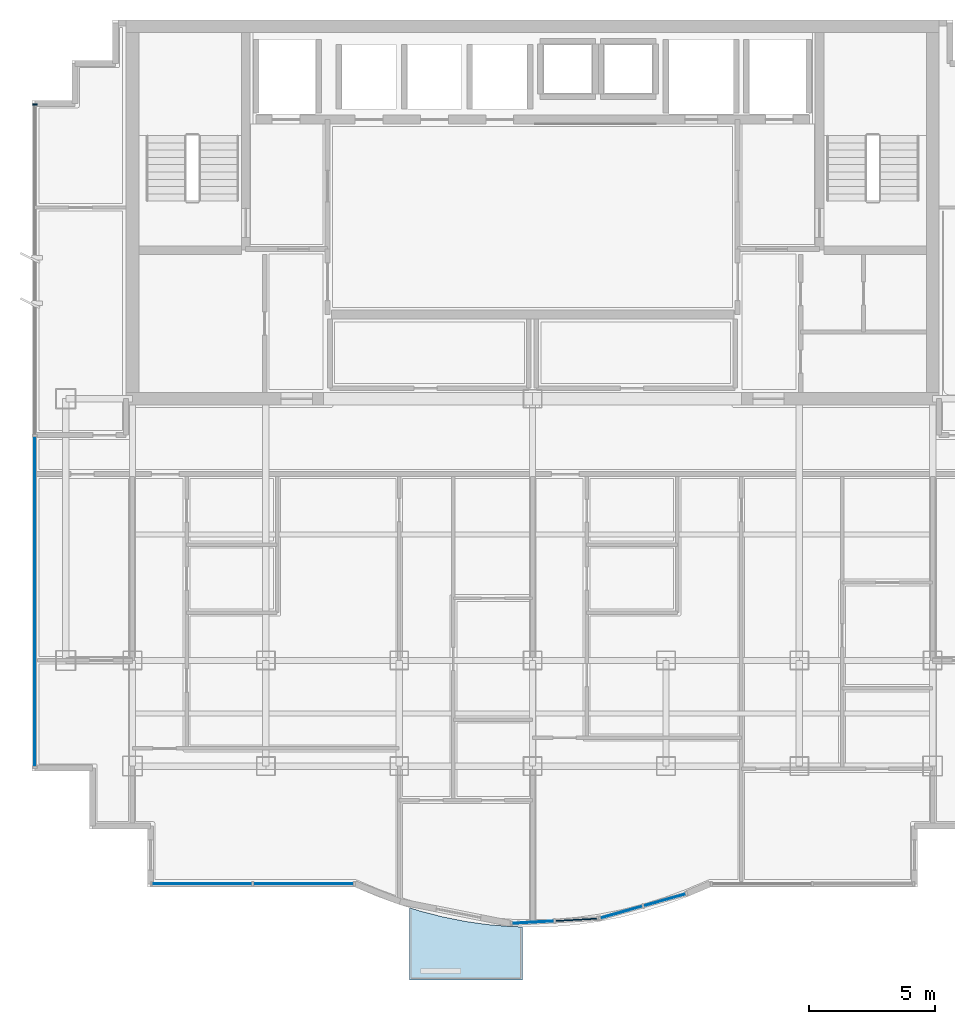
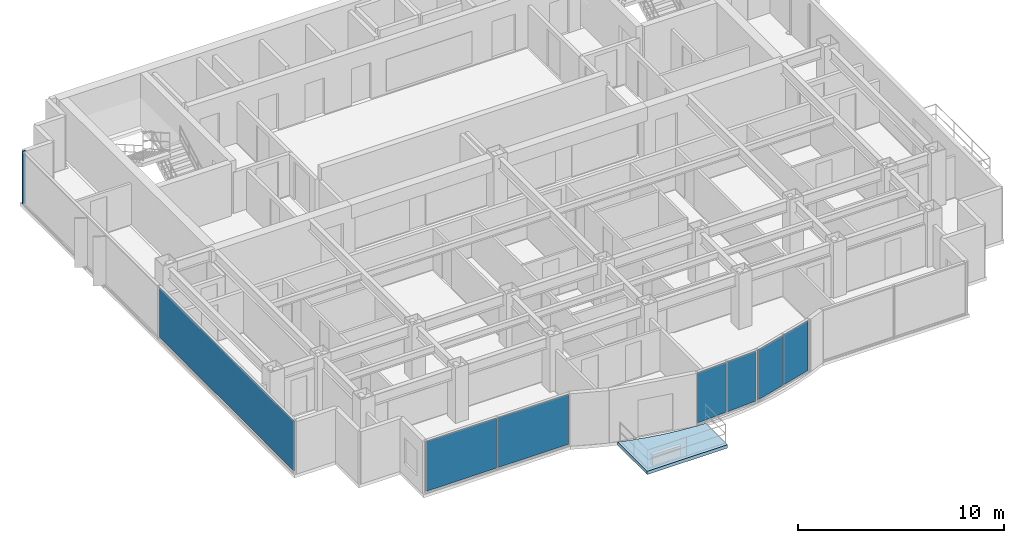
# One storey, part 5 of 11: 7 plates, 1 member, 1 slab, 4 elements without a shape of their own.
"""IFC4 building model written with IfcOpenShell, lengths in metres."""

from ifc_helpers import new_model, si_unit, direction, frame, origin, origin_2d, place, context, subcontext, project, spatial, polyline, rectangle, outline, extrude, source, transform, mapped, material, layer, layer_set, material_profile, profile_set, type_object, element, aggregate, save


model = new_model("IFC4")

# Units and contexts
model_context = context("Model", 3, precision=1e-05, world=origin(), true_north=direction((0.0, 1.0)))
body_context = subcontext(model_context, "Body", "Model", "MODEL_VIEW")
ifc_project = project(units=[si_unit("LENGTHUNIT", "METRE"), si_unit("AREAUNIT", "SQUARE_METRE"), si_unit("VOLUMEUNIT", "CUBIC_METRE"), si_unit("PLANEANGLEUNIT", "RADIAN"), si_unit("MASSUNIT", "GRAM", prefix="KILO")], contexts=[model_context])

# Site, building, storey
site_placement = place(None, origin())
site = spatial("IfcSite", under=ifc_project, at=site_placement, CompositionType="ELEMENT")
building_placement = place(site_placement, origin())
building = spatial("IfcBuilding", under=site, at=building_placement, Name="Qianlan Lanfeng Residences", CompositionType="ELEMENT")
storey_placement = place(building_placement, frame((0.0, 0.0, 226.39990234375)))
storey = spatial("IfcBuildingStorey", under=building, at=storey_placement, Name="L62", CompositionType="ELEMENT", Elevation=226.39990234375)

# Curtain wall, member
ifc_material_1 = material(Name="Anodised Bronze Aluminium 6063-T6", Category="aluminium")
ifc_layer_1 = layer(ifc_material_1, 0.219970703125)
ifc_layer_set_1 = layer_set([ifc_layer_1], Name="Anodised Bronze Aluminium 6063-T6")
curtain_wall_type = type_object("IfcCurtainWallType", Name="CW-05", PredefinedType="NOTDEFINED", material=ifc_layer_set_1)
curtain_wall_1_placement = place(storey_placement, origin())
curtain_wall_1 = element("IfcCurtainWall", 1, at=curtain_wall_1_placement, inside=storey, type_object=curtain_wall_type, Name="L62 Unitised Curtain Wall CWR-L62-05 (CW-05)", PredefinedType="NOTDEFINED")
ifc_material_profile = material_profile(ifc_material_1, rectangle(XDim=0.074951171875, YDim=0.179931640625, at=origin_2d()), Name="ALU MULLION 75x180")
ifc_profile_set = profile_set([ifc_material_profile], Name="Anodised Bronze Aluminium 6063-T6")
member_type = type_object("IfcMemberType", Name="CWM-180", PredefinedType="MULLION", material=ifc_profile_set)
shared_shape_1 = source(origin(), body_context, "Body", "SweptSolid", [
    extrude(rectangle(XDim=0.074951171875, YDim=0.179931640625, at=origin_2d()), origin(), (0.0, 0.0, 1.0), 3.110107421875),
])
member_placement = place(storey_placement, frame((6.719970703125, 36.892578125, 0.0), z_axis=(0.0, 0.0, 1.0), x_axis=(0.0, -1.0, 0.0)))
member = element("IfcMember", 2, at=member_placement, type_object=member_type, Name="CWR-L62-05 Mullion 1", PredefinedType="MULLION", context=body_context, shape_type="MappedRepresentation", body=[
    mapped(shared_shape_1, transform((0.0, 0.0, 0.0), scale=1.0)),
])

# Slab
ifc_material_2 = material(Name="Concrete C42", Category="concrete")
ifc_layer_2 = layer(ifc_material_2, 0.199951171875)
ifc_layer_set_2 = layer_set([ifc_layer_2], Name="Concrete C42")
slab_type = type_object("IfcSlabType", Name="S-BAL-200", PredefinedType="FLOOR", material=ifc_layer_set_2)
slab_placement = place(storey_placement, frame((0.0, 0.0, -0.199951171875)))
element("IfcSlab", 3, at=slab_placement, inside=storey, type_object=slab_type, Name="L62 Planted Tree Balcony Slab SB-C", PredefinedType="FLOOR", context=body_context, shape_type="SweptSolid", body=[
    extrude(outline(polyline([(26.10009765625, 4.2109375), (25.614990234375, 4.22509765625), (24.72998046875, 4.300048828125), (23.844970703125, 4.425048828125), (22.9599609375, 4.60009765625), (22.074951171875, 4.824951171875), (21.60009765625, 4.972900390625), (21.60009765625, 2.10009765625), (26.10009765625, 2.10009765625), (26.10009765625, 4.2109375)])), origin(), (0.0, 0.0, 1.0), 0.199951171875),
])

# Curtain wall, plates
curtain_wall_2_placement = place(storey_placement, origin())
curtain_wall_2 = element("IfcCurtainWall", 4, at=curtain_wall_2_placement, inside=storey, type_object=curtain_wall_type, Name="L62 Unitised Curtain Wall CWR-L62-01 (CW-05)", PredefinedType="NOTDEFINED")
ifc_material_3 = material(Name="Dark Bronze Tinted Insulated Glass", Category="glass")
ifc_layer_3 = layer(ifc_material_3, 0.0380859375)
ifc_layer_set_3 = layer_set([ifc_layer_3], Name="Dark Bronze Tinted Insulated Glass")
plate_type_1 = type_object("IfcPlateType", Name="PNL-GLZ-BRZ", PredefinedType="CURTAIN_PANEL", material=ifc_layer_set_3)
shared_shape_2 = source(origin(), body_context, "Body", "SweptSolid", [
    extrude(rectangle(XDim=3.951416015625, YDim=0.0380859375, at=origin_2d()), origin(), (0.0, 0.0, 1.0), 2.9619140625),
])
plate_1_placement = place(storey_placement, frame((13.36962890625, 5.919921875, 0.07421875), z_axis=(0.0, 0.0, 1.0), x_axis=(1.0, 0.0, 0.0)))
plate_1 = element("IfcPlate", 5, at=plate_1_placement, type_object=plate_type_1, Name="CWR-L62-01 Curtain Panel 1", PredefinedType="CURTAIN_PANEL", context=body_context, shape_type="MappedRepresentation", body=[
    mapped(shared_shape_2, transform((0.0, 0.0, 0.0), scale=1.0)),
])
plate_2_placement = place(storey_placement, frame((17.394287109375, 5.919921875, 0.07421875), z_axis=(0.0, 0.0, 1.0), x_axis=(1.0, 0.0, 0.0)))
plate_2 = element("IfcPlate", 6, at=plate_2_placement, type_object=plate_type_1, Name="CWR-L62-01 Curtain Panel 2", PredefinedType="CURTAIN_PANEL", context=body_context, shape_type="MappedRepresentation", body=[
    mapped(shared_shape_2, transform((0.0, 0.0, 0.0), scale=1.0)),
])
aggregate(curtain_wall_2, [plate_1, plate_2])

# Plate
shared_shape_3 = source(origin(), body_context, "Body", "SweptSolid", [
    extrude(rectangle(XDim=13.094482421875, YDim=0.0380859375, at=origin_2d()), origin(), (0.0, 0.0, 1.0), 2.9619140625),
])
plate_3_placement = place(storey_placement, frame((6.719970703125, 17.14111328125, 0.07421875), z_axis=(0.0, 0.0, 1.0), x_axis=(0.0, -1.0, 0.0)))
plate_3 = element("IfcPlate", 7, at=plate_3_placement, type_object=plate_type_1, Name="CWR-L62-05 Curtain Panel 2", PredefinedType="CURTAIN_PANEL", context=body_context, shape_type="MappedRepresentation", body=[
    mapped(shared_shape_3, transform((0.0, 0.0, 0.0), scale=1.0)),
])

aggregate(curtain_wall_1, [member, plate_3])

# Curtain wall, plate
curtain_wall_3_placement = place(storey_placement, origin())
curtain_wall_3 = element("IfcCurtainWall", 8, at=curtain_wall_3_placement, inside=storey, type_object=curtain_wall_type, Name="L62 Unitised Curtain Wall CWR-L62-02 (CW-05)", PredefinedType="NOTDEFINED")
shared_shape_4 = source(origin(), body_context, "Body", "SweptSolid", [
    extrude(rectangle(XDim=1.648681640625, YDim=0.0380859375, at=origin_2d()), origin(), (0.0, 0.0, 1.0), 2.9619140625),
])
plate_4_placement = place(storey_placement, frame((26.51904296875, 4.3955078125, 0.07421875), z_axis=(0.0, 0.0, 1.0), x_axis=(0.998415428603, 0.056272834713, 0.0)))
plate_4 = element("IfcPlate", 9, at=plate_4_placement, type_object=plate_type_1, Name="CWR-L62-02 Curtain Panel 1", PredefinedType="CURTAIN_PANEL", context=body_context, shape_type="MappedRepresentation", body=[
    mapped(shared_shape_4, transform((0.0, 0.0, 0.0), scale=1.0)),
])

# Curtain wall, plates
curtain_wall_4_placement = place(storey_placement, origin())
curtain_wall_4 = element("IfcCurtainWall", 10, at=curtain_wall_4_placement, inside=storey, type_object=curtain_wall_type, Name="L62 Unitised Curtain Wall CWR-L62-03 (CW-05)", PredefinedType="NOTDEFINED")
shared_shape_5 = source(origin(), body_context, "Body", "SweptSolid", [
    extrude(rectangle(XDim=1.71630859375, YDim=0.0380859375, at=origin_2d()), origin(), (0.0, 0.0, 1.0), 2.9619140625),
])
plate_5_placement = place(storey_placement, frame((30.031982421875, 4.796630859375, 0.07421875), z_axis=(0.0, 0.0, 1.0), x_axis=(0.962284495419, 0.272045124705, 0.0)))
plate_5 = element("IfcPlate", 11, at=plate_5_placement, type_object=plate_type_1, Name="CWR-L62-03 Curtain Panel 1", PredefinedType="CURTAIN_PANEL", context=body_context, shape_type="MappedRepresentation", body=[
    mapped(shared_shape_5, transform((0.0, 0.0, 0.0), scale=1.0)),
])
plate_6_placement = place(storey_placement, frame((31.75390625, 5.283447265625, 0.07421875), z_axis=(0.0, 0.0, 1.0), x_axis=(0.962284495419, 0.272045124705, 0.0)))
plate_6 = element("IfcPlate", 12, at=plate_6_placement, type_object=plate_type_1, Name="CWR-L62-03 Curtain Panel 2", PredefinedType="CURTAIN_PANEL", context=body_context, shape_type="MappedRepresentation", body=[
    mapped(shared_shape_5, transform((0.0, 0.0, 0.0), scale=1.0)),
])
aggregate(curtain_wall_4, [plate_5, plate_6])

# Plate
ifc_material_4 = material(Name="Perforated Champagne Gold Aluminium Panel", Category="aluminium")
ifc_layer_4 = layer(ifc_material_4, 0.0400390625)
ifc_layer_set_4 = layer_set([ifc_layer_4], Name="Perforated Champagne Gold Aluminium Panel")
plate_type_2 = type_object("IfcPlateType", Name="PNL-PRF-GLD", PredefinedType="CURTAIN_PANEL", material=ifc_layer_set_4)
shared_shape_6 = source(origin(), body_context, "Body", "SweptSolid", [
    extrude(rectangle(XDim=1.648681640625, YDim=0.0400390625, at=origin_2d()), origin(), (0.0, 0.0, 1.0), 2.9619140625),
])
plate_7_placement = place(storey_placement, frame((28.238037109375, 4.492431640625, 0.07421875), z_axis=(0.0, 0.0, 1.0), x_axis=(0.998415428603, 0.056272834713, 0.0)))
plate_7 = element("IfcPlate", 13, at=plate_7_placement, type_object=plate_type_2, Name="CWR-L62-02 Curtain Panel 2", PredefinedType="CURTAIN_PANEL", context=body_context, shape_type="MappedRepresentation", body=[
    mapped(shared_shape_6, transform((0.0, 0.0, 0.0), scale=1.0)),
])

aggregate(curtain_wall_3, [plate_4, plate_7])

save(model, "model.ifc")
